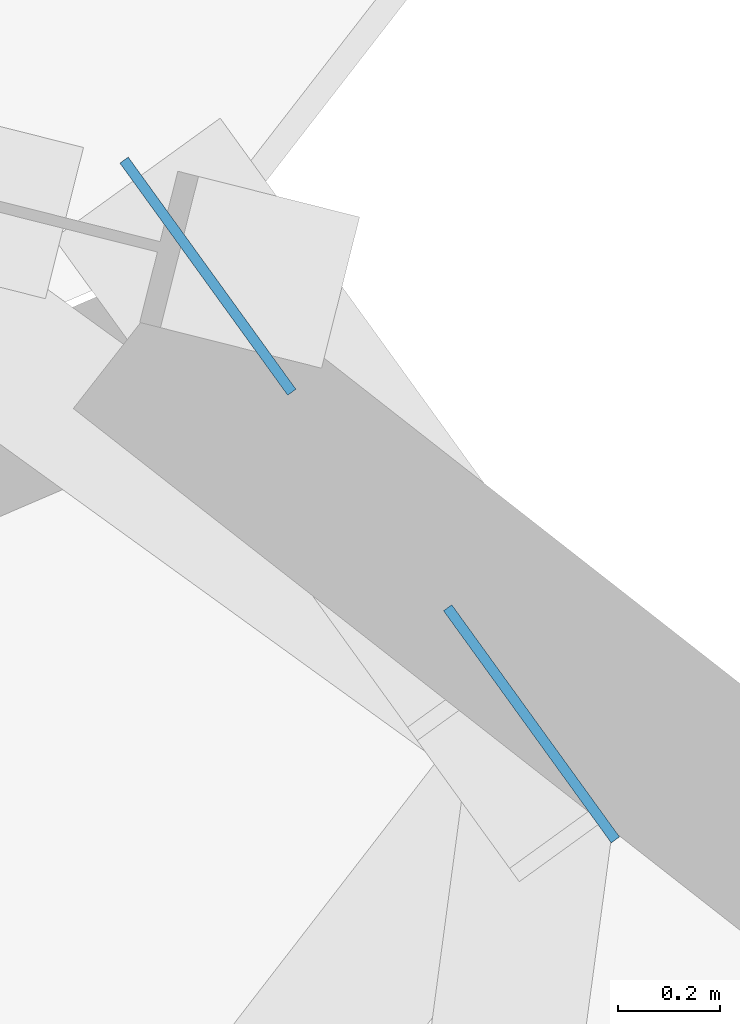
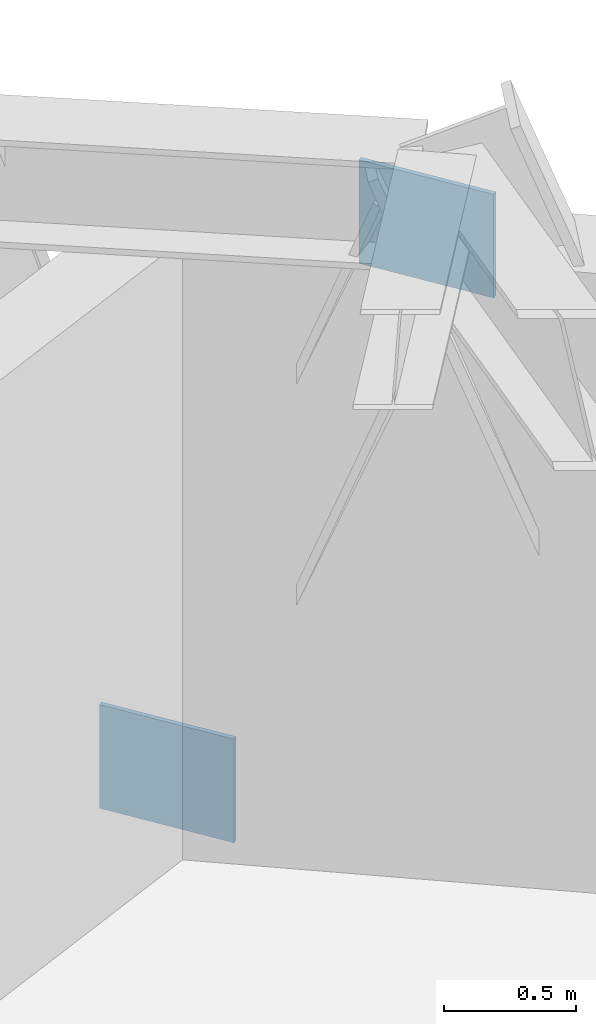
# One storey, part 7 of 14: 2 plates.
"""IFC4 building model written with IfcOpenShell, lengths in metres."""

from ifc_helpers import new_model, si_unit, direction, frame, origin, origin_2d, place, context, subcontext, project, spatial, rectangle, extrude, source, transform, mapped, material, type_object, element, save


model = new_model("IFC4")

# Units and contexts
model_context = context("Model", 3, precision=1e-05, world=origin(), true_north=direction((0.0, 1.0)))
body_context = subcontext(model_context, "Body", "Model", "MODEL_VIEW")
ifc_project = project(units=[si_unit("LENGTHUNIT", "METRE"), si_unit("AREAUNIT", "SQUARE_METRE"), si_unit("VOLUMEUNIT", "CUBIC_METRE"), si_unit("PLANEANGLEUNIT", "RADIAN"), si_unit("MASSUNIT", "GRAM", prefix="KILO")], contexts=[model_context])

# Site, building, storey
site_placement = place(None, origin())
site = spatial("IfcSite", under=ifc_project, at=site_placement, CompositionType="ELEMENT")
building_placement = place(site_placement, origin())
building = spatial("IfcBuilding", under=site, at=building_placement, Name="Olszyna Solenne Hotel", CompositionType="ELEMENT")
storey_placement = place(building_placement, frame((0.0, 0.0, 252.5)))
storey = spatial("IfcBuildingStorey", under=building, at=storey_placement, Name="L67", CompositionType="ELEMENT", Elevation=252.5)

# Plates
ifc_material = material(Name="Steel S355J2", Category="steel")
plate_type = type_object("IfcPlateType", Name="GP-ND2", PredefinedType="USERDEFINED", material=ifc_material)
shared_shape = source(origin(), body_context, "Body", "SweptSolid", [
    extrude(rectangle(XDim=0.56005859375, YDim=0.02001953125, at=origin_2d()), origin(), (0.0, 0.0, 1.0), 0.47998046875),
])
for number, where, z_axis, x_axis, name in (
    (1, (54.32861328125, 49.523681640625, -0.09912109375), (0.0, 0.0, 1.0), (0.585806698138, -0.810450808141, 0.0), "Brace end connection gusset plate GP-ND2 EP-BR-L67-1-1"),
    (2, (54.96142578125, 48.648193359375, 2.734130859375), (0.0, 0.0, 1.0), (0.585806698138, -0.810450808141, 0.0), "Brace end connection gusset plate GP-ND2 EP-BR-L67-1-2"),
):
    element("IfcPlate", number, at=place(storey_placement, frame(where, z_axis=z_axis, x_axis=x_axis)), inside=storey, type_object=plate_type, Name=name, ObjectType="GUSSET_PLATE", PredefinedType="USERDEFINED", context=body_context, shape_type="MappedRepresentation", body=[
        mapped(shared_shape, transform((0.0, 0.0, 0.0), x_axis=(1.0, 0.0, 0.0), y_axis=(0.0, 1.0, 0.0), z_axis=(0.0, 0.0, 1.0), scale=1.0)),
    ])

save(model, "model.ifc")
